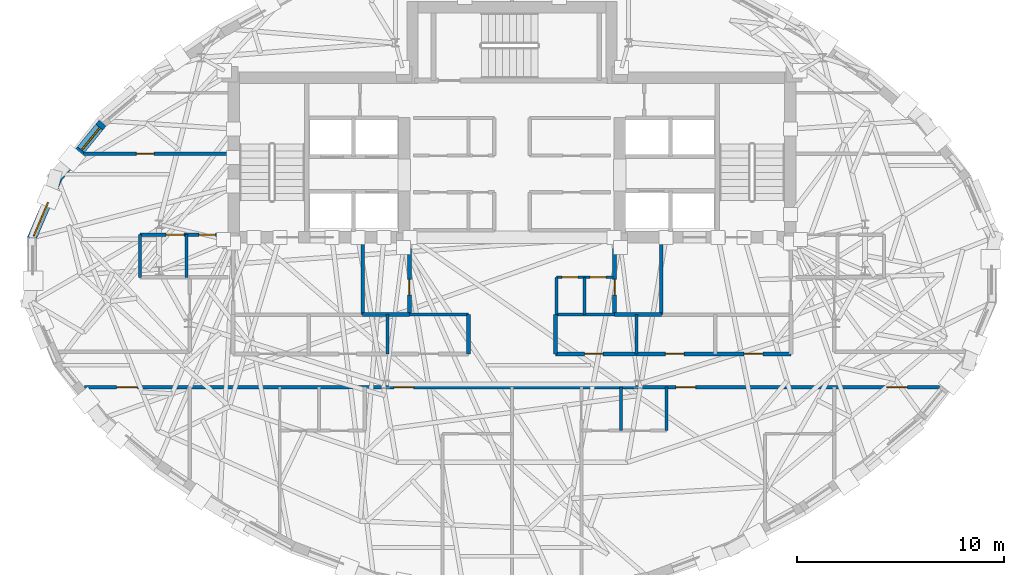
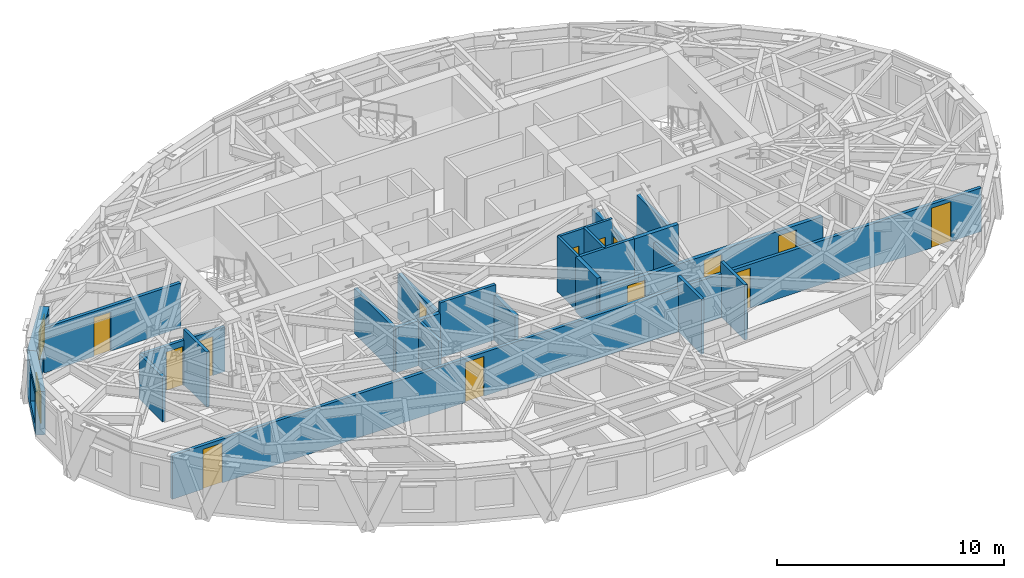
# One storey, part 7 of 14: 25 walls, 14 doors, 2 windows, 16 openings.
"""IFC4 building model written with IfcOpenShell, lengths in metres."""

from ifc_helpers import new_model, si_unit, direction, frame, frame_2d, origin, place, context, subcontext, project, spatial, rectangle, extrude, material, layer, layer_set, type_object, element, fill, save


model = new_model("IFC4")

# Units and contexts
model_context = context("Model", 3, precision=1e-05, world=origin(), true_north=direction((0.0, 1.0)))
body_context = subcontext(model_context, "Body", "Model", "MODEL_VIEW")
ifc_project = project(units=[si_unit("LENGTHUNIT", "METRE"), si_unit("AREAUNIT", "SQUARE_METRE"), si_unit("VOLUMEUNIT", "CUBIC_METRE"), si_unit("PLANEANGLEUNIT", "RADIAN"), si_unit("MASSUNIT", "GRAM", prefix="KILO")], contexts=[model_context])

# Site, building, storey
site_placement = place(None, origin())
site = spatial("IfcSite", under=ifc_project, at=site_placement, CompositionType="ELEMENT")
building_placement = place(site_placement, origin())
building = spatial("IfcBuilding", under=site, at=building_placement, Name="Keldmark Tower", CompositionType="ELEMENT")
storey_placement = place(building_placement, frame((0.0, 0.0, 216.300048828125)))
storey = spatial("IfcBuildingStorey", under=building, at=storey_placement, Name="L60", CompositionType="ELEMENT", Elevation=216.300048828125)

# Wall
ifc_material_1 = material(Name="Heavy Acoustic Plumbing Chase Gypsum Assembly", Category="gypsum")
ifc_layer_1 = layer(ifc_material_1, 0.18994140625)
ifc_layer_set_1 = layer_set([ifc_layer_1], Name="Heavy Acoustic Plumbing Chase Gypsum Assembly")
wall_type_1 = type_object("IfcWallType", Name="Heavy Wet Wall 190 mm", PredefinedType="PLUMBINGWALL", material=ifc_layer_set_1)
wall_1_placement = place(storey_placement, frame((-2.10009765625, -4.050048828125, 0.0), z_axis=(0.0, 0.0, 1.0), x_axis=(0.0, 1.0, 0.0)))
element("IfcWall", 1, at=wall_1_placement, inside=storey, type_object=wall_type_1, Name="L60 Heavy Wet Wall 190 mm SPK-W-E", PredefinedType="PLUMBINGWALL", context=body_context, shape_type="SweptSolid", body=[
    extrude(rectangle(XDim=1.900146484375, YDim=0.18994140625, at=frame_2d((0.9501953125, 0.0))), origin(), (0.0, 0.0, 1.0), 2.4228515625),
])

# Wall, openings, doors
wall_2_placement = place(storey_placement, frame((2.10009765625, -4.050048828125, 0.0), z_axis=(0.0, 0.0, 1.0), x_axis=(1.0, 0.0, 0.0)))
wall_2 = element("IfcWall", 2, at=wall_2_placement, inside=storey, type_object=wall_type_1, Name="L60 Heavy Wet Wall 190 mm SPK-E-S", PredefinedType="PLUMBINGWALL", context=body_context, shape_type="SweptSolid", body=[
    extrude(rectangle(XDim=11.349853515625, YDim=0.18994140625, at=frame_2d((5.6748046875, 0.0))), origin(), (0.0, 0.0, 1.0), 2.35693359375),
])
opening_1_placement = place(wall_2_placement, frame((1.39990234375, 0.0, 0.0)))
opening_1 = element("IfcOpeningElement", 3, at=opening_1_placement, cuts=wall_2, Name="Opening D-IN090", PredefinedType="OPENING", context=body_context, shape_type="SweptSolid", body=[
    extrude(rectangle(XDim=0.89990234375, YDim=2.10009765625, at=frame_2d((0.449951171875, 1.050048828125))), frame((0.0, 0.10498046875, 0.0), z_axis=(0.0, -1.0, 0.0), x_axis=(1.0, 0.0, 0.0)), (0.0, 0.0, 1.0), 0.2099609375),
])
opening_2_placement = place(wall_2_placement, frame((5.300048828125, 0.0, 0.0)))
opening_2 = element("IfcOpeningElement", 4, at=opening_2_placement, cuts=wall_2, Name="Opening D-IN090", PredefinedType="OPENING", context=body_context, shape_type="SweptSolid", body=[
    extrude(rectangle(XDim=0.89990234375, YDim=2.10009765625, at=frame_2d((0.449951171875, 1.050048828125))), frame((0.0, 0.10498046875, 0.0), z_axis=(0.0, -1.0, 0.0), x_axis=(1.0, 0.0, 0.0)), (0.0, 0.0, 1.0), 0.2099609375),
])
opening_3_placement = place(wall_2_placement, frame((9.10009765625, 0.0, 0.0)))
opening_3 = element("IfcOpeningElement", 5, at=opening_3_placement, cuts=wall_2, Name="Opening D-IN090", PredefinedType="OPENING", context=body_context, shape_type="SweptSolid", body=[
    extrude(rectangle(XDim=0.89990234375, YDim=2.10009765625, at=frame_2d((0.449951171875, 1.050048828125))), frame((0.0, 0.10498046875, 0.0), z_axis=(0.0, -1.0, 0.0), x_axis=(1.0, 0.0, 0.0)), (0.0, 0.0, 1.0), 0.2099609375),
])
ifc_material_2 = material(Name="Stained American White Oak Veneer", Category="wood")
door_type_1 = type_object("IfcDoorType", Name="Interior Door 900x2100", OperationType="NOTDEFINED", PredefinedType="DOOR", material=ifc_material_2)
door_1_placement = place(opening_1_placement, origin())
door_1 = element("IfcDoor", 6, at=door_1_placement, inside=storey, type_object=door_type_1, Name="L60 Interior Door 900x2100 D-SPKE1-L60", OperationType="SINGLE_SWING_RIGHT", OverallHeight=2.10009765625, OverallWidth=0.89990234375, PredefinedType="DOOR", context=body_context, shape_type="SweptSolid", body=[
    extrude(rectangle(XDim=0.89990234375, YDim=2.10009765625, at=frame_2d((0.449951171875, 1.050048828125))), frame((0.0, 0.02490234375, 0.0), z_axis=(0.0, -1.0, 0.0), x_axis=(1.0, 0.0, 0.0)), (0.0, 0.0, 1.0), 0.050048828125),
])
fill(opening_1, door_1)
door_2_placement = place(opening_2_placement, origin())
door_2 = element("IfcDoor", 7, at=door_2_placement, inside=storey, type_object=door_type_1, Name="L60 Interior Door 900x2100 D-SPKE2-L60", OperationType="SINGLE_SWING_LEFT", OverallHeight=2.10009765625, OverallWidth=0.89990234375, PredefinedType="DOOR", context=body_context, shape_type="SweptSolid", body=[
    extrude(rectangle(XDim=0.89990234375, YDim=2.10009765625, at=frame_2d((0.449951171875, 1.050048828125))), frame((0.0, 0.02490234375, 0.0), z_axis=(0.0, -1.0, 0.0), x_axis=(1.0, 0.0, 0.0)), (0.0, 0.0, 1.0), 0.050048828125),
])
fill(opening_2, door_2)
door_3_placement = place(opening_3_placement, origin())
door_3 = element("IfcDoor", 8, at=door_3_placement, inside=storey, type_object=door_type_1, Name="L60 Interior Door 900x2100 D-SPKE3-L60", OperationType="SINGLE_SWING_RIGHT", OverallHeight=2.10009765625, OverallWidth=0.89990234375, PredefinedType="DOOR", context=body_context, shape_type="SweptSolid", body=[
    extrude(rectangle(XDim=0.89990234375, YDim=2.10009765625, at=frame_2d((0.449951171875, 1.050048828125))), frame((0.0, 0.02490234375, 0.0), z_axis=(0.0, -1.0, 0.0), x_axis=(1.0, 0.0, 0.0)), (0.0, 0.0, 1.0), 0.050048828125),
])
fill(opening_3, door_3)

# Wall
wall_3_placement = place(storey_placement, frame((2.10009765625, -4.050048828125, 0.0), z_axis=(0.0, 0.0, 1.0), x_axis=(0.0, 1.0, 0.0)))
element("IfcWall", 9, at=wall_3_placement, inside=storey, type_object=wall_type_1, Name="L60 Heavy Wet Wall 190 mm SPK-E-W", PredefinedType="PLUMBINGWALL", context=body_context, shape_type="SweptSolid", body=[
    extrude(rectangle(XDim=1.900146484375, YDim=0.18994140625, at=frame_2d((0.9501953125, 0.0))), origin(), (0.0, 0.0, 1.0), 2.969970703125),
])

# Wall, openings, doors
ifc_material_3 = material(Name="Acoustic Gypsum Board Interior Partition", Category="gypsum")
ifc_layer_2 = layer(ifc_material_3, 0.1298828125)
ifc_layer_set_2 = layer_set([ifc_layer_2], Name="Acoustic Gypsum Board Interior Partition")
wall_type_2 = type_object("IfcWallType", Name="Interior Partition 130 mm", PredefinedType="PARTITIONING", material=ifc_layer_set_2)
wall_4_placement = place(storey_placement, frame((2.14990234375, -0.35009765625, 0.0), z_axis=(0.0, 0.0, 1.0), x_axis=(1.0, 0.0, 0.0)))
wall_4 = element("IfcWall", 10, at=wall_4_placement, inside=storey, type_object=wall_type_2, Name="L60 Interior Partition 130 mm CSC-E-N", PredefinedType="PARTITIONING", context=body_context, shape_type="SweptSolid", body=[
    extrude(rectangle(XDim=2.72998046875, YDim=0.1298828125, at=frame_2d((1.364990234375, 0.0))), origin(), (0.0, 0.0, 1.0), 2.969970703125),
])
opening_4_placement = place(wall_4_placement, frame((0.25, 0.0, 0.0)))
opening_4 = element("IfcOpeningElement", 11, at=opening_4_placement, cuts=wall_4, Name="Opening D-CL078", PredefinedType="OPENING", context=body_context, shape_type="SweptSolid", body=[
    extrude(rectangle(XDim=0.780029296875, YDim=2.10009765625, at=frame_2d((0.39013671875, 1.050048828125))), frame((0.0, 0.074951171875, 0.0), z_axis=(0.0, -1.0, 0.0), x_axis=(1.0, 0.0, 0.0)), (0.0, 0.0, 1.0), 0.14990234375),
])
opening_5_placement = place(wall_4_placement, frame((1.60009765625, 0.0, 0.0)))
opening_5 = element("IfcOpeningElement", 12, at=opening_5_placement, cuts=wall_4, Name="Opening D-CL078", PredefinedType="OPENING", context=body_context, shape_type="SweptSolid", body=[
    extrude(rectangle(XDim=0.780029296875, YDim=2.10009765625, at=frame_2d((0.39013671875, 1.050048828125))), frame((0.0, 0.074951171875, 0.0), z_axis=(0.0, -1.0, 0.0), x_axis=(1.0, 0.0, 0.0)), (0.0, 0.0, 1.0), 0.14990234375),
])
ifc_material_4 = material(Name="Flush Utility Closet Timber Door", Category="wood")
door_type_2 = type_object("IfcDoorType", Name="Closet Door 780x2100", OperationType="NOTDEFINED", PredefinedType="DOOR", material=ifc_material_4)
door_4_placement = place(opening_4_placement, origin())
door_4 = element("IfcDoor", 13, at=door_4_placement, inside=storey, type_object=door_type_2, Name="L60 Closet Door 780x2100 D-CSCE1-L60", OperationType="SINGLE_SWING_LEFT", OverallHeight=2.10009765625, OverallWidth=0.780029296875, PredefinedType="DOOR", context=body_context, shape_type="SweptSolid", body=[
    extrude(rectangle(XDim=0.780029296875, YDim=2.10009765625, at=frame_2d((0.39013671875, 1.050048828125))), frame((0.0, 0.02490234375, 0.0), z_axis=(0.0, -1.0, 0.0), x_axis=(1.0, 0.0, 0.0)), (0.0, 0.0, 1.0), 0.050048828125),
])
fill(opening_4, door_4)
door_5_placement = place(opening_5_placement, origin())
door_5 = element("IfcDoor", 14, at=door_5_placement, inside=storey, type_object=door_type_2, Name="L60 Closet Door 780x2100 D-CSCE2-L60", OperationType="SINGLE_SWING_RIGHT", OverallHeight=2.10009765625, OverallWidth=0.780029296875, PredefinedType="DOOR", context=body_context, shape_type="SweptSolid", body=[
    extrude(rectangle(XDim=0.780029296875, YDim=2.10009765625, at=frame_2d((0.39013671875, 1.050048828125))), frame((0.0, 0.02490234375, 0.0), z_axis=(0.0, -1.0, 0.0), x_axis=(1.0, 0.0, 0.0)), (0.0, 0.0, 1.0), 0.050048828125),
])
fill(opening_5, door_5)

# Walls
for number, where, z_axis, x_axis, name in (
    (15, (2.14990234375, -2.14990234375, 0.0), (0.0, 0.0, 1.0), (0.0, 1.0, 0.0), "L60 Interior Partition 130 mm CSC-E-W"),
    (16, (3.5, -2.14990234375, 0.0), (0.0, 0.0, 1.0), (0.0, 1.0, 0.0), "L60 Interior Partition 130 mm CSC-E-M"),
):
    element("IfcWall", number, at=place(storey_placement, frame(where, z_axis=z_axis, x_axis=x_axis)), inside=storey, type_object=wall_type_2, Name=name, PredefinedType="PARTITIONING", context=body_context, shape_type="SweptSolid", body=[
        extrude(rectangle(XDim=1.7998046875, YDim=0.1298828125, at=frame_2d((0.89990234375, 0.0))), origin(), (0.0, 0.0, 1.0), 2.969970703125),
    ])
ifc_material_5 = material(Name="Type X Fire-Rated Gypsum Partition Assembly", Category="gypsum")
ifc_layer_3 = layer(ifc_material_5, 0.1650390625)
ifc_layer_set_3 = layer_set([ifc_layer_3], Name="Type X Fire-Rated Gypsum Partition Assembly")
wall_type_3 = type_object("IfcWallType", Name="Rated Partition 165 mm", PredefinedType="PARTITIONING", material=ifc_layer_set_3)
for number, where, z_axis, x_axis, name in (
    (17, (-7.199951171875, -2.14990234375, 0.0), (0.0, 0.0, 1.0), (0.0, 1.0, 0.0), "L60 Rated Partition 165 mm FSAE-W-E"),
    (18, (7.199951171875, -2.14990234375, 0.0), (0.0, 0.0, 1.0), (0.0, 1.0, 0.0), "L60 Rated Partition 165 mm FSAE-E-W"),
):
    element("IfcWall", number, at=place(storey_placement, frame(where, z_axis=z_axis, x_axis=x_axis)), inside=storey, type_object=wall_type_3, Name=name, PredefinedType="PARTITIONING", context=body_context, shape_type="SweptSolid", body=[
        extrude(rectangle(XDim=3.5, YDim=0.1650390625, at=frame_2d((1.75, 0.0))), origin(), (0.0, 0.0, 1.0), 2.4228515625),
    ])

# Wall, openings, doors
wall_5_placement = place(storey_placement, frame((-20.621826171875, -5.64990234375, 0.0), z_axis=(0.0, 0.0, 1.0), x_axis=(1.0, 0.0, 0.0)))
wall_5 = element("IfcWall", 19, at=wall_5_placement, inside=storey, type_object=wall_type_3, Name="L60 Rated Partition 165 mm RCOR-S", PredefinedType="PARTITIONING", context=body_context, shape_type="SweptSolid", body=[
    extrude(rectangle(XDim=41.24365234375, YDim=0.1650390625, at=frame_2d((20.621826171875, 0.0))), origin(), (0.0, 0.0, 1.0), 2.35693359375),
])
opening_6_placement = place(wall_5_placement, frame((1.5537109375, 0.0, 0.0)))
opening_6 = element("IfcOpeningElement", 20, at=opening_6_placement, cuts=wall_5, Name="Opening D-FD100", PredefinedType="OPENING", context=body_context, shape_type="SweptSolid", body=[
    extrude(rectangle(XDim=1.0, YDim=2.14990234375, at=frame_2d((0.5, 1.074951171875))), frame((0.0, 0.092529296875, 0.0), z_axis=(0.0, -1.0, 0.0), x_axis=(1.0, 0.0, 0.0)), (0.0, 0.0, 1.0), 0.18505859375),
])
opening_7_placement = place(wall_5_placement, frame((38.689697265625, 0.0, 0.0)))
opening_7 = element("IfcOpeningElement", 21, at=opening_7_placement, cuts=wall_5, Name="Opening D-FD100", PredefinedType="OPENING", context=body_context, shape_type="SweptSolid", body=[
    extrude(rectangle(XDim=1.0, YDim=2.14990234375, at=frame_2d((0.5, 1.074951171875))), frame((0.0, 0.092529296875, 0.0), z_axis=(0.0, -1.0, 0.0), x_axis=(1.0, 0.0, 0.0)), (0.0, 0.0, 1.0), 0.18505859375),
])
opening_8_placement = place(wall_5_placement, frame((14.931640625, 0.0, 0.0)))
opening_8 = element("IfcOpeningElement", 22, at=opening_8_placement, cuts=wall_5, Name="Opening D-AP095", PredefinedType="OPENING", context=body_context, shape_type="SweptSolid", body=[
    extrude(rectangle(XDim=0.949951171875, YDim=2.14990234375, at=frame_2d((0.47509765625, 1.074951171875))), frame((0.0, 0.092529296875, 0.0), z_axis=(0.0, -1.0, 0.0), x_axis=(1.0, 0.0, 0.0)), (0.0, 0.0, 1.0), 0.18505859375),
])
opening_9_placement = place(wall_5_placement, frame((28.521728515625, 0.0, 0.0)))
opening_9 = element("IfcOpeningElement", 23, at=opening_9_placement, cuts=wall_5, Name="Opening D-AP095", PredefinedType="OPENING", context=body_context, shape_type="SweptSolid", body=[
    extrude(rectangle(XDim=0.949951171875, YDim=2.14990234375, at=frame_2d((0.47509765625, 1.074951171875))), frame((0.0, 0.092529296875, 0.0), z_axis=(0.0, -1.0, 0.0), x_axis=(1.0, 0.0, 0.0)), (0.0, 0.0, 1.0), 0.18505859375),
])
ifc_material_6 = material(Name="Solid-Core Walnut Fire-Rated Entry Assembly", Category="wood")
door_type_3 = type_object("IfcDoorType", Name="Apartment Entry Door 950x2150", OperationType="NOTDEFINED", PredefinedType="DOOR", material=ifc_material_6)
door_6_placement = place(opening_8_placement, origin())
door_6 = element("IfcDoor", 24, at=door_6_placement, inside=storey, type_object=door_type_3, Name="L60 Apartment Entry Door 950x2150 D-UA-ENT-L60", OperationType="SINGLE_SWING_RIGHT", OverallHeight=2.14990234375, OverallWidth=0.949951171875, PredefinedType="DOOR", context=body_context, shape_type="SweptSolid", body=[
    extrude(rectangle(XDim=0.949951171875, YDim=2.14990234375, at=frame_2d((0.47509765625, 1.074951171875))), frame((0.0, 0.02490234375, 0.0), z_axis=(0.0, -1.0, 0.0), x_axis=(1.0, 0.0, 0.0)), (0.0, 0.0, 1.0), 0.050048828125),
])
fill(opening_8, door_6)
door_7_placement = place(opening_9_placement, origin())
door_7 = element("IfcDoor", 25, at=door_7_placement, inside=storey, type_object=door_type_3, Name="L60 Apartment Entry Door 950x2150 D-UB-ENT-L60", OperationType="SINGLE_SWING_LEFT", OverallHeight=2.14990234375, OverallWidth=0.949951171875, PredefinedType="DOOR", context=body_context, shape_type="SweptSolid", body=[
    extrude(rectangle(XDim=0.949951171875, YDim=2.14990234375, at=frame_2d((0.47509765625, 1.074951171875))), frame((0.0, 0.02490234375, 0.0), z_axis=(0.0, -1.0, 0.0), x_axis=(1.0, 0.0, 0.0)), (0.0, 0.0, 1.0), 0.050048828125),
])
fill(opening_9, door_7)
ifc_material_7 = material(Name="Hollow Metal Fire-Rated Corridor Door", Category="metal")
door_type_4 = type_object("IfcDoorType", Name="Fire Door 1000x2150", OperationType="NOTDEFINED", PredefinedType="DOOR", material=ifc_material_7)
door_8_placement = place(opening_6_placement, origin())
door_8 = element("IfcDoor", 26, at=door_8_placement, inside=storey, type_object=door_type_4, Name="L60 Fire Door 1000x2150 D-RSCW-L60", OperationType="SINGLE_SWING_LEFT", OverallHeight=2.14990234375, OverallWidth=1.0, PredefinedType="DOOR", context=body_context, shape_type="SweptSolid", body=[
    extrude(rectangle(XDim=1.0, YDim=2.14990234375, at=frame_2d((0.5, 1.074951171875))), frame((0.0, 0.02490234375, 0.0), z_axis=(0.0, -1.0, 0.0), x_axis=(1.0, 0.0, 0.0)), (0.0, 0.0, 1.0), 0.050048828125),
])
fill(opening_6, door_8)
door_9_placement = place(opening_7_placement, origin())
door_9 = element("IfcDoor", 27, at=door_9_placement, inside=storey, type_object=door_type_4, Name="L60 Fire Door 1000x2150 D-RSCE-L60", OperationType="SINGLE_SWING_LEFT", OverallHeight=2.14990234375, OverallWidth=1.0, PredefinedType="DOOR", context=body_context, shape_type="SweptSolid", body=[
    extrude(rectangle(XDim=1.0, YDim=2.14990234375, at=frame_2d((0.5, 1.074951171875))), frame((0.0, 0.02490234375, 0.0), z_axis=(0.0, -1.0, 0.0), x_axis=(1.0, 0.0, 0.0)), (0.0, 0.0, 1.0), 0.050048828125),
])
fill(opening_7, door_9)

# Wall, opening, door
wall_6_placement = place(storey_placement, frame((-20.66259765625, 5.60009765625, 0.0), z_axis=(0.0, 0.0, 1.0), x_axis=(1.0, 0.0, 0.0)))
wall_6 = element("IfcWall", 28, at=wall_6_placement, inside=storey, type_object=wall_type_3, Name="L60 Rated Partition 165 mm RW-NDIV", PredefinedType="PARTITIONING", context=body_context, shape_type="SweptSolid", body=[
    extrude(rectangle(XDim=6.962646484375, YDim=0.1650390625, at=frame_2d((3.4814453125, 0.0))), origin(), (0.0, 0.0, 1.0), 2.4228515625),
])
opening_10_placement = place(wall_6_placement, frame((2.548583984375, 0.0, 0.0)))
opening_10 = element("IfcOpeningElement", 29, at=opening_10_placement, cuts=wall_6, Name="Opening D-BR085", PredefinedType="OPENING", context=body_context, shape_type="SweptSolid", body=[
    extrude(rectangle(XDim=0.85009765625, YDim=2.10009765625, at=frame_2d((0.425048828125, 1.050048828125))), frame((0.0, 0.092529296875, 0.0), z_axis=(0.0, -1.0, 0.0), x_axis=(1.0, 0.0, 0.0)), (0.0, 0.0, 1.0), 0.18505859375),
])
ifc_material_8 = material(Name="Solid-Core Stained Walnut Wood", Category="wood")
door_type_5 = type_object("IfcDoorType", Name="Bedroom Door 850x2100", OperationType="NOTDEFINED", PredefinedType="DOOR", material=ifc_material_8)
door_10_placement = place(opening_10_placement, origin())
door_10 = element("IfcDoor", 30, at=door_10_placement, inside=storey, type_object=door_type_5, Name="L60 Bedroom Door 850x2100 D-UC-BR1-L60", OperationType="SINGLE_SWING_LEFT", OverallHeight=2.10009765625, OverallWidth=0.85009765625, PredefinedType="DOOR", context=body_context, shape_type="SweptSolid", body=[
    extrude(rectangle(XDim=0.85009765625, YDim=2.10009765625, at=frame_2d((0.425048828125, 1.050048828125))), frame((0.0, 0.02490234375, 0.0), z_axis=(0.0, -1.0, 0.0), x_axis=(1.0, 0.0, 0.0)), (0.0, 0.0, 1.0), 0.050048828125),
])
fill(opening_10, door_10)

# Wall
ifc_material_9 = material(Name="Fire-Resistant Type X Gypsum Shaftliner Coreboard", Category="gypsum")
ifc_layer_4 = layer(ifc_material_9, 0.199951171875)
ifc_layer_set_4 = layer_set([ifc_layer_4], Name="Fire-Resistant Type X Gypsum Shaftliner Coreboard")
wall_type_4 = type_object("IfcWallType", Name="Shaft Wall 200 mm", PredefinedType="SOLIDWALL", material=ifc_layer_set_4)
wall_7_placement = place(storey_placement, frame((-7.199951171875, -2.14990234375, 0.0), z_axis=(0.0, 0.0, 1.0), x_axis=(1.0, 0.0, 0.0)))
element("IfcWall", 31, at=wall_7_placement, inside=storey, type_object=wall_type_4, Name="L60 Shaft Wall 200 mm RIS-SW-S", PredefinedType="SOLIDWALL", context=body_context, shape_type="SweptSolid", body=[
    extrude(rectangle(XDim=2.25, YDim=0.199951171875, at=frame_2d((1.125, 0.0))), origin(), (0.0, 0.0, 1.0), 2.4228515625),
])

# Wall, opening, door
wall_8_placement = place(storey_placement, frame((-4.949951171875, -2.14990234375, 0.0), z_axis=(0.0, 0.0, 1.0), x_axis=(0.0, 1.0, 0.0)))
wall_8 = element("IfcWall", 32, at=wall_8_placement, inside=storey, type_object=wall_type_4, Name="L60 Shaft Wall 200 mm RIS-SW-E", PredefinedType="SOLIDWALL", context=body_context, shape_type="SweptSolid", body=[
    extrude(rectangle(XDim=3.5, YDim=0.199951171875, at=frame_2d((1.75, 0.0))), origin(), (0.0, 0.0, 1.0), 2.4228515625),
])
opening_11_placement = place(wall_8_placement, frame((0.949951171875, 0.0, 0.0)))
opening_11 = element("IfcOpeningElement", 33, at=opening_11_placement, cuts=wall_8, Name="Opening D-RS075", PredefinedType="OPENING", context=body_context, shape_type="SweptSolid", body=[
    extrude(rectangle(XDim=0.75, YDim=2.10009765625, at=frame_2d((0.375, 1.050048828125))), frame((0.0, 0.10986328125, 0.0), z_axis=(0.0, -1.0, 0.0), x_axis=(1.0, 0.0, 0.0)), (0.0, 0.0, 1.0), 0.219970703125),
])
ifc_material_10 = material(Name="Galvanized Fire-Rated Access Leaf", Category="metal")
door_type_6 = type_object("IfcDoorType", Name="Riser Access Door 750x2100", OperationType="NOTDEFINED", PredefinedType="DOOR", material=ifc_material_10)
door_11_placement = place(opening_11_placement, origin())
door_11 = element("IfcDoor", 34, at=door_11_placement, inside=storey, type_object=door_type_6, Name="L60 Riser Access Door 750x2100 D-RISSW-L60", OperationType="SINGLE_SWING_RIGHT", OverallHeight=2.10009765625, OverallWidth=0.75, PredefinedType="DOOR", context=body_context, shape_type="SweptSolid", body=[
    extrude(rectangle(XDim=0.75, YDim=2.10009765625, at=frame_2d((0.375, 1.050048828125))), frame((0.0, 0.02490234375, 0.0), z_axis=(0.0, -1.0, 0.0), x_axis=(1.0, 0.0, 0.0)), (0.0, 0.0, 1.0), 0.050048828125),
])
fill(opening_11, door_11)

# Wall
wall_9_placement = place(storey_placement, frame((4.949951171875, -2.14990234375, 0.0), z_axis=(0.0, 0.0, 1.0), x_axis=(1.0, 0.0, 0.0)))
element("IfcWall", 35, at=wall_9_placement, inside=storey, type_object=wall_type_4, Name="L60 Shaft Wall 200 mm RIS-SE-S", PredefinedType="SOLIDWALL", context=body_context, shape_type="SweptSolid", body=[
    extrude(rectangle(XDim=2.25, YDim=0.199951171875, at=frame_2d((1.125, 0.0))), origin(), (0.0, 0.0, 1.0), 2.969970703125),
])

# Wall, opening, door
wall_10_placement = place(storey_placement, frame((4.949951171875, -2.14990234375, 0.0), z_axis=(0.0, 0.0, 1.0), x_axis=(0.0, 1.0, 0.0)))
wall_10 = element("IfcWall", 36, at=wall_10_placement, inside=storey, type_object=wall_type_4, Name="L60 Shaft Wall 200 mm RIS-SE-W", PredefinedType="SOLIDWALL", context=body_context, shape_type="SweptSolid", body=[
    extrude(rectangle(XDim=3.5, YDim=0.199951171875, at=frame_2d((1.75, 0.0))), origin(), (0.0, 0.0, 1.0), 2.4228515625),
])
opening_12_placement = place(wall_10_placement, frame((0.949951171875, 0.0, 0.0)))
opening_12 = element("IfcOpeningElement", 37, at=opening_12_placement, cuts=wall_10, Name="Opening D-RS075", PredefinedType="OPENING", context=body_context, shape_type="SweptSolid", body=[
    extrude(rectangle(XDim=0.75, YDim=2.10009765625, at=frame_2d((0.375, 1.050048828125))), frame((0.0, 0.10986328125, 0.0), z_axis=(0.0, -1.0, 0.0), x_axis=(1.0, 0.0, 0.0)), (0.0, 0.0, 1.0), 0.219970703125),
])
door_12_placement = place(opening_12_placement, origin())
door_12 = element("IfcDoor", 38, at=door_12_placement, inside=storey, type_object=door_type_6, Name="L60 Riser Access Door 750x2100 D-RISSE-L60", OperationType="SINGLE_SWING_LEFT", OverallHeight=2.10009765625, OverallWidth=0.75, PredefinedType="DOOR", context=body_context, shape_type="SweptSolid", body=[
    extrude(rectangle(XDim=0.75, YDim=2.10009765625, at=frame_2d((0.375, 1.050048828125))), frame((0.0, 0.02490234375, 0.0), z_axis=(0.0, -1.0, 0.0), x_axis=(1.0, 0.0, 0.0)), (0.0, 0.0, 1.0), 0.050048828125),
])
fill(opening_12, door_12)

# Wall, opening, window
ifc_material_11 = material(Name="Ironspot Manganese Brick and Kasota Buff Limestone Spandrel Assembly", Category="masonry")
ifc_layer_5 = layer(ifc_material_11, 0.43994140625)
ifc_layer_set_5 = layer_set([ifc_layer_5], Name="Ironspot Manganese Brick and Kasota Buff Limestone Spandrel Assembly")
wall_type_5 = type_object("IfcWallType", Name="Tower Brick Pier and Spandrel Wall 440 mm", PredefinedType="STANDARD", material=ifc_layer_set_5)
wall_11_placement = place(storey_placement, frame((-21.93115234375, 4.407958984375, 0.0), z_axis=(0.0, 0.0, 1.0), x_axis=(0.632725461905, 0.774376194015, 0.0)))
wall_11 = element("IfcWall", 39, at=wall_11_placement, inside=storey, type_object=wall_type_5, Name="L60 Exterior Brick and Spandrel Wall 14", PredefinedType="STANDARD", context=body_context, shape_type="SweptSolid", body=[
    extrude(rectangle(XDim=3.4521484375, YDim=0.43994140625, at=frame_2d((1.72607421875, 0.0))), origin(), (0.0, 0.0, 1.0), 2.3359375),
])
opening_13_placement = place(wall_11_placement, frame((1.803466796875, 0.0, 0.580078125)))
opening_13 = element("IfcOpeningElement", 40, at=opening_13_placement, cuts=wall_11, Name="Opening W-08", PredefinedType="OPENING", context=body_context, shape_type="SweptSolid", body=[
    extrude(rectangle(XDim=1.39990234375, YDim=1.550048828125, at=frame_2d((0.699951171875, 0.77490234375))), frame((0.0, 0.22998046875, 0.0), z_axis=(0.0, -1.0, 0.0), x_axis=(1.0, 0.0, 0.0)), (0.0, 0.0, 1.0), 0.4599609375),
])
ifc_material_12 = material(Name="Thermally Broken Anodized Aluminum and Triple Low-E Argon Glazing", Category="aluminium")
window_type_1 = type_object("IfcWindowType", Name="Residential Corner Punched Window 1400x1550", PartitioningType="SINGLE_PANEL", PredefinedType="WINDOW", material=ifc_material_12)
window_1_placement = place(opening_13_placement, origin())
window_1 = element("IfcWindow", 41, at=window_1_placement, inside=storey, type_object=window_type_1, Name="L60 Deep-Set Window 14", OverallHeight=1.550048828125, OverallWidth=1.39990234375, PartitioningType="SINGLE_PANEL", PredefinedType="WINDOW", context=body_context, shape_type="SweptSolid", body=[
    extrude(rectangle(XDim=1.39990234375, YDim=1.550048828125, at=frame_2d((0.699951171875, 0.77490234375))), frame((0.0, -0.010009765625, 0.0), z_axis=(0.0, -1.0, 0.0), x_axis=(1.0, 0.0, 0.0)), (0.0, 0.0, 1.0), 0.06005859375),
])
fill(opening_13, window_1)

wall_12_placement = place(storey_placement, frame((-23.181884765625, 1.47509765625, 0.0), z_axis=(0.0, 0.0, 1.0), x_axis=(0.394735370712, 0.918794855835, 0.0)))
wall_12 = element("IfcWall", 42, at=wall_12_placement, inside=storey, type_object=wall_type_5, Name="L60 Exterior Brick and Spandrel Wall 15", PredefinedType="STANDARD", context=body_context, shape_type="SweptSolid", body=[
    extrude(rectangle(XDim=3.2490234375, YDim=0.43994140625, at=frame_2d((1.62451171875, 0.0))), origin(), (0.0, 0.0, 1.0), 2.3359375),
])
opening_14_placement = place(wall_12_placement, frame((0.199951171875, 0.0, 0.47998046875)))
opening_14 = element("IfcOpeningElement", 43, at=opening_14_placement, cuts=wall_12, Name="Opening W-05", PredefinedType="OPENING", context=body_context, shape_type="SweptSolid", body=[
    extrude(rectangle(XDim=1.75, YDim=1.550048828125, at=frame_2d((0.875, 0.77490234375))), frame((0.0, 0.22998046875, 0.0), z_axis=(0.0, -1.0, 0.0), x_axis=(1.0, 0.0, 0.0)), (0.0, 0.0, 1.0), 0.4599609375),
])
ifc_material_13 = material(Name="Thermally Broken Anodized Aluminum and Triple Low-E Argon Glazing", Category="aluminium")
window_type_2 = type_object("IfcWindowType", Name="Residential Deep-Set Window 1750x1550", PartitioningType="DOUBLE_PANEL_VERTICAL", PredefinedType="WINDOW", material=ifc_material_13)
window_2_placement = place(opening_14_placement, origin())
window_2 = element("IfcWindow", 44, at=window_2_placement, inside=storey, type_object=window_type_2, Name="L60 Deep-Set Window 15", OverallHeight=1.550048828125, OverallWidth=1.75, PartitioningType="SINGLE_PANEL", PredefinedType="WINDOW", context=body_context, shape_type="SweptSolid", body=[
    extrude(rectangle(XDim=1.75, YDim=1.550048828125, at=frame_2d((0.875, 0.77490234375))), frame((0.0, -0.010009765625, 0.0), z_axis=(0.0, -1.0, 0.0), x_axis=(1.0, 0.0, 0.0)), (0.0, 0.0, 1.0), 0.06005859375),
])
fill(opening_14, window_2)

# Walls
ifc_material_14 = material(Name="Moisture-Resistant Gypsum Plumbing Partition", Category="gypsum")
ifc_layer_6 = layer(ifc_material_14, 0.14990234375)
ifc_layer_set_6 = layer_set([ifc_layer_6], Name="Moisture-Resistant Gypsum Plumbing Partition")
wall_type_6 = type_object("IfcWallType", Name="Wet Wall 150 mm", PredefinedType="PLUMBINGWALL", material=ifc_layer_set_6)
wall_13_placement = place(storey_placement, frame((-4.949951171875, -2.14990234375, 0.0), z_axis=(0.0, 0.0, 1.0), x_axis=(1.0, 0.0, 0.0)))
element("IfcWall", 45, at=wall_13_placement, inside=storey, type_object=wall_type_6, Name="L60 Wet Wall 150 mm SPK-W-N", PredefinedType="PLUMBINGWALL", context=body_context, shape_type="SweptSolid", body=[
    extrude(rectangle(XDim=2.849853515625, YDim=0.14990234375, at=frame_2d((1.4248046875, 0.0))), origin(), (0.0, 0.0, 1.0), 2.969970703125),
])
wall_14_placement = place(storey_placement, frame((-6.0, -4.050048828125, 0.0), z_axis=(0.0, 0.0, 1.0), x_axis=(0.0, 1.0, 0.0)))
element("IfcWall", 46, at=wall_14_placement, inside=storey, type_object=wall_type_6, Name="L60 Wet Wall 150 mm SPK-W-D2", PredefinedType="PLUMBINGWALL", context=body_context, shape_type="SweptSolid", body=[
    extrude(rectangle(XDim=1.900146484375, YDim=0.14990234375, at=frame_2d((0.9501953125, 0.0))), origin(), (0.0, 0.0, 1.0), 2.4228515625),
])
wall_15_placement = place(storey_placement, frame((2.10009765625, -2.14990234375, 0.0), z_axis=(0.0, 0.0, 1.0), x_axis=(1.0, 0.0, 0.0)))
element("IfcWall", 47, at=wall_15_placement, inside=storey, type_object=wall_type_6, Name="L60 Wet Wall 150 mm SPK-E-N", PredefinedType="PLUMBINGWALL", context=body_context, shape_type="SweptSolid", body=[
    extrude(rectangle(XDim=2.849853515625, YDim=0.14990234375, at=frame_2d((1.4248046875, 0.0))), origin(), (0.0, 0.0, 1.0), 2.969970703125),
])
wall_16_placement = place(storey_placement, frame((6.0, -4.050048828125, 0.0), z_axis=(0.0, 0.0, 1.0), x_axis=(0.0, 1.0, 0.0)))
element("IfcWall", 48, at=wall_16_placement, inside=storey, type_object=wall_type_6, Name="L60 Wet Wall 150 mm SPK-E-D1", PredefinedType="PLUMBINGWALL", context=body_context, shape_type="SweptSolid", body=[
    extrude(rectangle(XDim=1.900146484375, YDim=0.14990234375, at=frame_2d((0.9501953125, 0.0))), origin(), (0.0, 0.0, 1.0), 2.430908203125),
])
for number, where, z_axis, x_axis, name in (
    (49, (5.25, -7.75, 0.0), (0.0, 0.0, 1.0), (0.0, 1.0, 0.0), "L60 Wet Wall 150 mm UB-BK-M"),
    (50, (7.449951171875, -7.75, 0.0), (0.0, 0.0, 1.0), (0.0, 1.0, 0.0), "L60 Wet Wall 150 mm UB-BK-E"),
):
    element("IfcWall", number, at=place(storey_placement, frame(where, z_axis=z_axis, x_axis=x_axis)), inside=storey, type_object=wall_type_6, Name=name, PredefinedType="PLUMBINGWALL", context=body_context, shape_type="SweptSolid", body=[
        extrude(rectangle(XDim=2.10009765625, YDim=0.14990234375, at=frame_2d((1.050048828125, 0.0))), origin(), (0.0, 0.0, 1.0), 2.969970703125),
    ])

# Wall, openings, doors
wall_17_placement = place(storey_placement, frame((-17.949951171875, 1.699951171875, 0.0), z_axis=(0.0, 0.0, 1.0), x_axis=(1.0, 0.0, 0.0)))
wall_17 = element("IfcWall", 51, at=wall_17_placement, inside=storey, type_object=wall_type_6, Name="L60 Wet Wall 150 mm UC-BK-N", PredefinedType="PLUMBINGWALL", context=body_context, shape_type="SweptSolid", body=[
    extrude(rectangle(XDim=4.25, YDim=0.14990234375, at=frame_2d((2.125, 0.0))), origin(), (0.0, 0.0, 1.0), 2.4228515625),
])
opening_15_placement = place(wall_17_placement, frame((2.85009765625, 0.0, 0.0)))
opening_15 = element("IfcOpeningElement", 52, at=opening_15_placement, cuts=wall_17, Name="Opening D-BT080", PredefinedType="OPENING", context=body_context, shape_type="SweptSolid", body=[
    extrude(rectangle(XDim=0.800048828125, YDim=2.10009765625, at=frame_2d((0.39990234375, 1.050048828125))), frame((0.0, 0.0849609375, 0.0), z_axis=(0.0, -1.0, 0.0), x_axis=(1.0, 0.0, 0.0)), (0.0, 0.0, 1.0), 0.169921875),
])
opening_16_placement = place(wall_17_placement, frame((1.27001953125, 0.0, 0.0)))
opening_16 = element("IfcOpeningElement", 53, at=opening_16_placement, cuts=wall_17, Name="Opening D-IN085", PredefinedType="OPENING", context=body_context, shape_type="SweptSolid", body=[
    extrude(rectangle(XDim=0.85009765625, YDim=2.10009765625, at=frame_2d((0.425048828125, 1.050048828125))), frame((0.0, 0.0849609375, 0.0), z_axis=(0.0, -1.0, 0.0), x_axis=(1.0, 0.0, 0.0)), (0.0, 0.0, 1.0), 0.169921875),
])
ifc_material_15 = material(Name="Moisture-Sealed Stained Wood", Category="wood")
door_type_7 = type_object("IfcDoorType", Name="Bathroom Door 800x2100", OperationType="NOTDEFINED", PredefinedType="DOOR", material=ifc_material_15)
door_13_placement = place(opening_15_placement, origin())
door_13 = element("IfcDoor", 54, at=door_13_placement, inside=storey, type_object=door_type_7, Name="L60 Bathroom Door 800x2100 D-UC-BATH-L60", OperationType="SINGLE_SWING_LEFT", OverallHeight=2.10009765625, OverallWidth=0.800048828125, PredefinedType="DOOR", context=body_context, shape_type="SweptSolid", body=[
    extrude(rectangle(XDim=0.800048828125, YDim=2.10009765625, at=frame_2d((0.39990234375, 1.050048828125))), frame((0.0, 0.02490234375, 0.0), z_axis=(0.0, -1.0, 0.0), x_axis=(1.0, 0.0, 0.0)), (0.0, 0.0, 1.0), 0.050048828125),
])
fill(opening_15, door_13)
ifc_material_16 = material(Name="Painted Architectural Wood", Category="wood")
door_type_8 = type_object("IfcDoorType", Name="Interior Door 850x2100", OperationType="NOTDEFINED", PredefinedType="DOOR", material=ifc_material_16)
door_14_placement = place(opening_16_placement, origin())
door_14 = element("IfcDoor", 55, at=door_14_placement, inside=storey, type_object=door_type_8, Name="L60 Interior Door 850x2100 D-UC-KIT-L60", OperationType="SINGLE_SWING_RIGHT", OverallHeight=2.10009765625, OverallWidth=0.85009765625, PredefinedType="DOOR", context=body_context, shape_type="SweptSolid", body=[
    extrude(rectangle(XDim=0.85009765625, YDim=2.10009765625, at=frame_2d((0.425048828125, 1.050048828125))), frame((0.0, 0.02490234375, 0.0), z_axis=(0.0, -1.0, 0.0), x_axis=(1.0, 0.0, 0.0)), (0.0, 0.0, 1.0), 0.050048828125),
])
fill(opening_16, door_14)

# Walls
wall_18_placement = place(storey_placement, frame((-15.699951171875, -0.35009765625, 0.0), z_axis=(0.0, 0.0, 1.0), x_axis=(0.0, 1.0, 0.0)))
element("IfcWall", 56, at=wall_18_placement, inside=storey, type_object=wall_type_6, Name="L60 Wet Wall 150 mm UC-BK-M", PredefinedType="PLUMBINGWALL", context=body_context, shape_type="SweptSolid", body=[
    extrude(rectangle(XDim=2.050048828125, YDim=0.14990234375, at=frame_2d((1.02490234375, 0.0))), origin(), (0.0, 0.0, 1.0), 2.969970703125),
])
wall_19_placement = place(storey_placement, frame((-17.949951171875, -0.35009765625, 0.0), z_axis=(0.0, 0.0, 1.0), x_axis=(0.0, 1.0, 0.0)))
element("IfcWall", 57, at=wall_19_placement, inside=storey, type_object=wall_type_6, Name="L60 Wet Wall 150 mm UC-BK-OUT", PredefinedType="PLUMBINGWALL", context=body_context, shape_type="SweptSolid", body=[
    extrude(rectangle(XDim=2.050048828125, YDim=0.14990234375, at=frame_2d((1.02490234375, 0.0))), origin(), (0.0, 0.0, 1.0), 2.4228515625),
])

save(model, "model.ifc")
